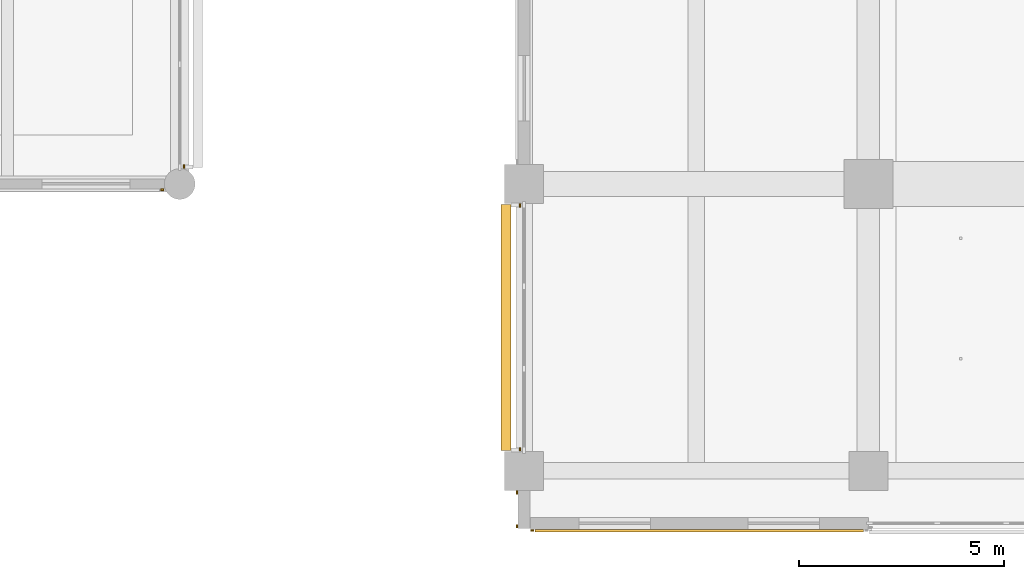
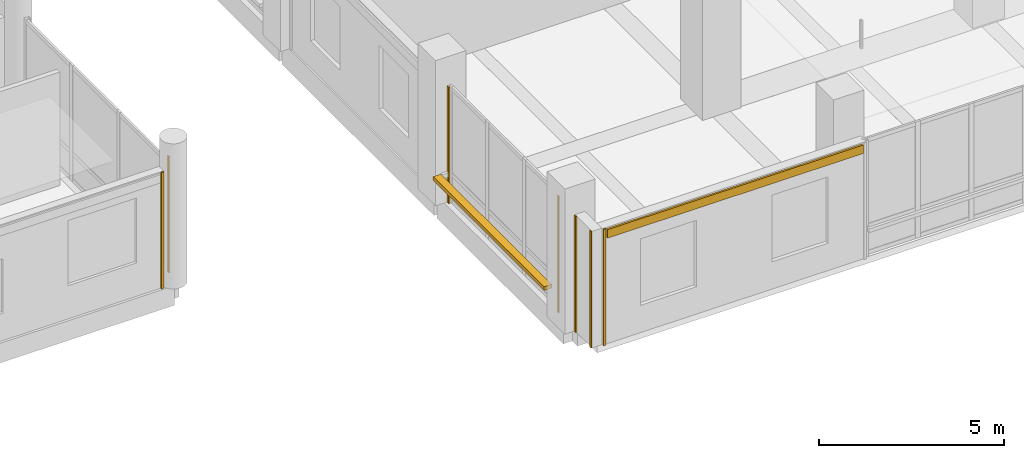
# One storey, part 89 of 122: 8 coverings, 1 shading device.
"""IFC4 building model written with IfcOpenShell, lengths in metres."""

from ifc_helpers import new_model, si_unit, direction, frame, origin, origin_2d, place, context, subcontext, project, spatial, rectangle, extrude, material, layer, layer_set, type_object, element, save


model = new_model("IFC4")

# Units and contexts
model_context = context("Model", 3, precision=1e-05, world=origin(), true_north=direction((0.0, 1.0)))
body_context = subcontext(model_context, "Body", "Model", "MODEL_VIEW")
ifc_project = project(units=[si_unit("LENGTHUNIT", "METRE"), si_unit("AREAUNIT", "SQUARE_METRE"), si_unit("VOLUMEUNIT", "CUBIC_METRE"), si_unit("PLANEANGLEUNIT", "RADIAN"), si_unit("MASSUNIT", "GRAM", prefix="KILO")], contexts=[model_context])

# Site, building, storey
site_placement = place(None, origin())
site = spatial("IfcSite", under=ifc_project, at=site_placement, CompositionType="ELEMENT")
building_placement = place(site_placement, origin())
building = spatial("IfcBuilding", under=site, at=building_placement, Name="Telukmera Botanical Conservatory", CompositionType="ELEMENT")
storey_placement = place(building_placement, frame((0.0, 0.0, 10.199951171875)))
storey = spatial("IfcBuildingStorey", under=building, at=storey_placement, Name="L02", CompositionType="ELEMENT", Elevation=10.199951171875)

# Coverings
ifc_material_1 = material(Name="Granite-faced precast concrete C40/50", Category="masonry")
ifc_layer_1 = layer(ifc_material_1, 0.0400390625)
ifc_layer_set_1 = layer_set([ifc_layer_1], Name="Granite-faced precast concrete C40/50")
covering_type_1 = type_object("IfcCoveringType", Name="Granite Precast Column Pier Reveal Casing", PredefinedType="CLADDING", material=ifc_layer_set_1)
for number, where, z_axis, x_axis, name in (
    (1, (41.572998046875, 17.4599609375, 0.0), (0.0, 0.0, 1.0), (1.0, 0.0, 0.0), "Granite Pier Reveal V3:L02:S4 R"),
    (2, (42.10009765625, 18.027099609375, 0.0), (0.0, 0.0, 1.0), (0.0, 1.0, 0.0), "Granite Pier Reveal V3:L02:E1 L"),
    (3, (50.22998046875, 9.25, 0.0), (0.0, 0.0, 1.0), (0.0, 1.0, 0.0), "Granite Pier Reveal V4:L02:SWC L"),
    (4, (50.22998046875, 10.072998046875, 0.0), (0.0, 0.0, 1.0), (0.0, 1.0, 0.0), "Granite Pier Reveal V4:L02:SWC R"),
    (5, (50.60205078125, 9.14990234375, 0.0), (0.0, 0.0, 1.0), (1.0, 0.0, 0.0), "Granite Pier Reveal V4:L02:S1 L"),
    (6, (50.300048828125, 11.126953125, 0.0), (0.0, 0.0, 1.0), (0.0, 1.0, 0.0), "Granite Pier Reveal V4:L02:W1 L"),
    (7, (50.300048828125, 17.072998046875, 0.0), (0.0, 0.0, 1.0), (0.0, 1.0, 0.0), "Granite Pier Reveal V4:L02:W1 R"),
):
    element("IfcCovering", number, at=place(storey_placement, frame(where, z_axis=z_axis, x_axis=x_axis)), inside=storey, type_object=covering_type_1, Name=name, PredefinedType="CLADDING", context=body_context, shape_type="SweptSolid", body=[
        extrude(rectangle(XDim=0.080078125, YDim=0.0400390625, at=origin_2d()), origin(), (0.0, 0.0, 1.0), 3.85009765625),
    ])

# Shading device
ifc_material_2 = material(Name="Perforated terracotta-anodised aluminium 6063-T6", Category="masonry")
ifc_layer_2 = layer(ifc_material_2, 0.044921875)
ifc_layer_set_2 = layer_set([ifc_layer_2], Name="Perforated terracotta-anodised aluminium 6063-T6")
shading_device_type = type_object("IfcShadingDeviceType", Name="Perforated Terracotta Aluminium Monsoon Brise Soleil", PredefinedType="JALOUSIE", material=ifc_layer_set_2)
shading_device_placement = place(storey_placement, frame((49.9599609375, 14.10009765625, 0.889892578125), z_axis=(0.0, 0.0, 1.0), x_axis=(0.0, 1.0, 0.0)))
element("IfcShadingDevice", 8, at=shading_device_placement, inside=storey, type_object=shading_device_type, Name="Monsoon Shading BS01 V4:L02:W1", PredefinedType="JALOUSIE", context=body_context, shape_type="SweptSolid", body=[
    extrude(rectangle(XDim=6.006103515625, YDim=0.239990234375, at=origin_2d()), origin(), (0.0, 0.0, 1.0), 0.1201171875),
])

# Covering
ifc_material_3 = material(Name="Terracotta-faced precast concrete C40/50", Category="masonry")
ifc_layer_3 = layer(ifc_material_3, 0.06005859375)
ifc_layer_set_3 = layer_set([ifc_layer_3], Name="Terracotta-faced precast concrete C40/50")
covering_type_2 = type_object("IfcCoveringType", Name="Polychrome Terracotta Facade Band Cladding", PredefinedType="CLADDING", material=ifc_layer_set_3)
covering_placement = place(storey_placement, frame((54.675048828125, 9.139892578125, 3.5302734375), z_axis=(0.0, 0.0, 1.0), x_axis=(1.0, 0.0, 0.0)))
element("IfcCovering", 9, at=covering_placement, inside=storey, type_object=covering_type_2, Name="Polychrome Terracotta Band V4:L02:S1", PredefinedType="CLADDING", context=body_context, shape_type="SweptSolid", body=[
    extrude(rectangle(XDim=8.006103515625, YDim=0.06005859375, at=origin_2d()), origin(), (0.0, 0.0, 1.0), 0.280029296875),
])

save(model, "model.ifc")
